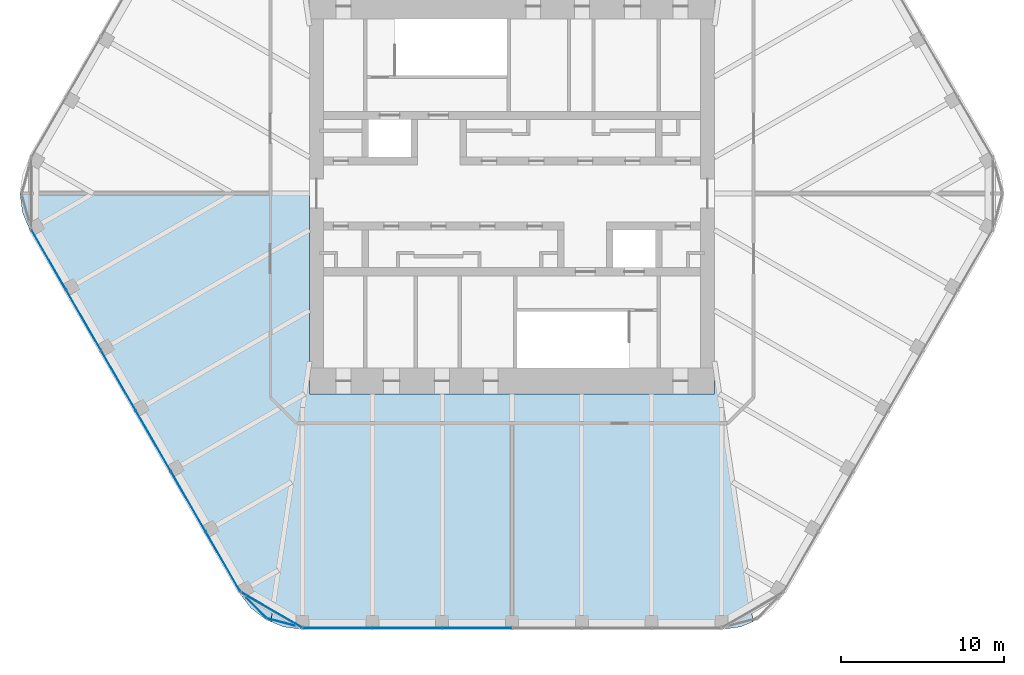
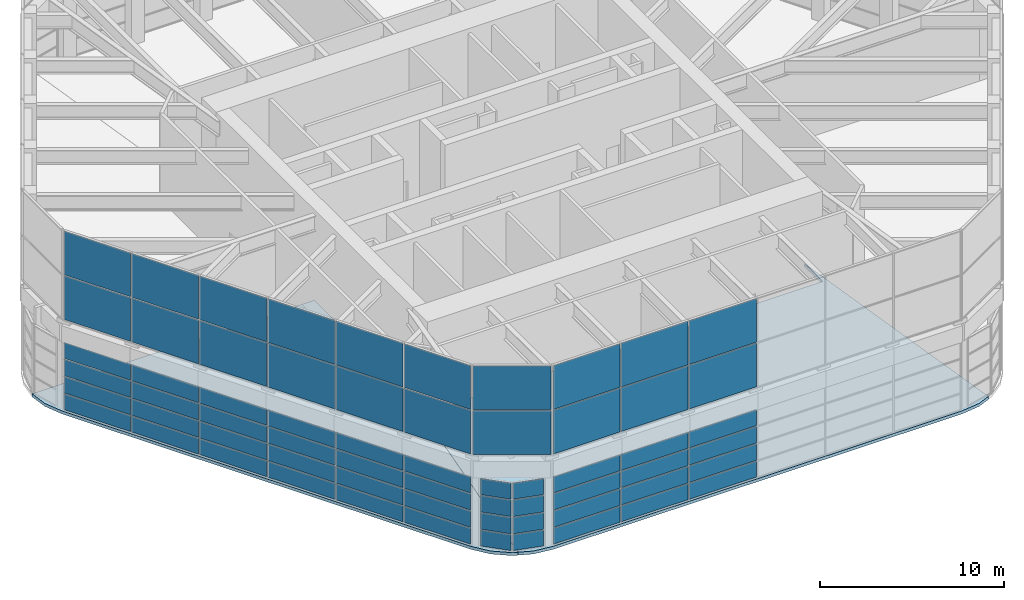
# One storey, part 10 of 17: 64 plates, 2 slabs, 7 elements without a shape of their own.
"""IFC4 building model written with IfcOpenShell, lengths in metres."""

from ifc_helpers import new_model, si_unit, direction, frame, origin, origin_2d, place, context, subcontext, project, spatial, polyline, rectangle, outline, extrude, material, layer, layer_set, type_object, element, aggregate, save


model = new_model("IFC4")

# Units and contexts
model_context = context("Model", 3, precision=1e-05, world=origin(), true_north=direction((0.0, 1.0)))
body_context = subcontext(model_context, "Body", "Model", "MODEL_VIEW")
ifc_project = project(units=[si_unit("LENGTHUNIT", "METRE"), si_unit("AREAUNIT", "SQUARE_METRE"), si_unit("VOLUMEUNIT", "CUBIC_METRE"), si_unit("PLANEANGLEUNIT", "RADIAN"), si_unit("MASSUNIT", "GRAM", prefix="KILO")], contexts=[model_context])

# Site, building, storey
site_placement = place(None, origin())
site = spatial("IfcSite", under=ifc_project, at=site_placement, CompositionType="ELEMENT")
building_placement = place(site_placement, origin())
building = spatial("IfcBuilding", under=site, at=building_placement, Name="Tarfa Lantern Tower", CompositionType="ELEMENT")
storey_placement = place(building_placement, frame((0.0, 0.0, 402.300048828125)))
storey = spatial("IfcBuildingStorey", under=building, at=storey_placement, Name="L91", CompositionType="ELEMENT", Elevation=402.300048828125)

# Curtain wall, plates
ifc_material_1 = material(Name="Aluminium framed curtain wall", Category="aluminium")
curtain_wall_type_1 = type_object("IfcCurtainWallType", Name="CW8 LANTERN GLAZING 4600", PredefinedType="USERDEFINED", material=ifc_material_1)
curtain_wall_1_placement = place(storey_placement, origin())
curtain_wall_1 = element("IfcCurtainWall", 1, at=curtain_wall_1_placement, inside=storey, type_object=curtain_wall_type_1, Name="CW8 SWS1 L91", ObjectType="CURTAIN WALL", PredefinedType="USERDEFINED")
ifc_material_2 = material(Name="Laminated double glazing", Category="glass")
ifc_layer_1 = layer(ifc_material_2, 0.028076171875)
ifc_layer_set_1 = layer_set([ifc_layer_1], Name="CWP1 DOUBLE GLAZED PANEL")
plate_type = type_object("IfcPlateType", Name="CWP1 DOUBLE GLAZED PANEL", PredefinedType="CURTAIN_PANEL", material=ifc_layer_set_1)
plate_1_placement = place(storey_placement, frame((-15.6953125, -25.4111328125, 0.06494140625), z_axis=(0.0, 0.0, 1.0), x_axis=(0.707106781187, -0.707106781187, 0.0)))
plate_1 = element("IfcPlate", 2, at=plate_1_placement, type_object=plate_type, Name="CW8 panel 1.1", PredefinedType="CURTAIN_PANEL", context=body_context, shape_type="SweptSolid", body=[
    extrude(rectangle(XDim=1.706787109375, YDim=0.028076171875, at=origin_2d()), origin(), (0.0, 0.0, 1.0), 1.052490234375),
])
plate_2_placement = place(storey_placement, frame((-15.6953125, -25.4111328125, 1.182373046875), z_axis=(0.0, 0.0, 1.0), x_axis=(0.707106781187, -0.707106781187, 0.0)))
plate_2 = element("IfcPlate", 3, at=plate_2_placement, type_object=plate_type, Name="CW8 panel 1.2", PredefinedType="CURTAIN_PANEL", context=body_context, shape_type="SweptSolid", body=[
    extrude(rectangle(XDim=1.706787109375, YDim=0.028076171875, at=origin_2d()), origin(), (0.0, 0.0, 1.0), 1.0849609375),
])
plate_3_placement = place(storey_placement, frame((-15.6953125, -25.4111328125, 2.33251953125), z_axis=(0.0, 0.0, 1.0), x_axis=(0.707106781187, -0.707106781187, 0.0)))
plate_3 = element("IfcPlate", 4, at=plate_3_placement, type_object=plate_type, Name="CW8 panel 1.3", PredefinedType="CURTAIN_PANEL", context=body_context, shape_type="SweptSolid", body=[
    extrude(rectangle(XDim=1.706787109375, YDim=0.028076171875, at=origin_2d()), origin(), (0.0, 0.0, 1.0), 1.0849609375),
])
plate_4_placement = place(storey_placement, frame((-15.6953125, -25.4111328125, 3.482421875), z_axis=(0.0, 0.0, 1.0), x_axis=(0.707106781187, -0.707106781187, 0.0)))
plate_4 = element("IfcPlate", 5, at=plate_4_placement, type_object=plate_type, Name="CW8 panel 1.4", PredefinedType="CURTAIN_PANEL", context=body_context, shape_type="SweptSolid", body=[
    extrude(rectangle(XDim=1.706787109375, YDim=0.028076171875, at=origin_2d()), origin(), (0.0, 0.0, 1.0), 1.052490234375),
])
aggregate(curtain_wall_1, [plate_1, plate_2, plate_3, plate_4])

curtain_wall_2_placement = place(storey_placement, origin())
curtain_wall_2 = element("IfcCurtainWall", 6, at=curtain_wall_2_placement, inside=storey, type_object=curtain_wall_type_1, Name="CW8 SWS2 L91", ObjectType="CURTAIN WALL", PredefinedType="USERDEFINED")
plate_5_placement = place(storey_placement, frame((-14.158935546875, -26.298095703125, 0.06494140625), z_axis=(0.0, 0.0, 1.0), x_axis=(0.965925850804, -0.258818953611, 0.0)))
plate_5 = element("IfcPlate", 7, at=plate_5_placement, type_object=plate_type, Name="CW8 panel 1.1", PredefinedType="CURTAIN_PANEL", context=body_context, shape_type="SweptSolid", body=[
    extrude(rectangle(XDim=1.706787109375, YDim=0.028076171875, at=origin_2d()), origin(), (0.0, 0.0, 1.0), 1.052490234375),
])
plate_6_placement = place(storey_placement, frame((-14.158935546875, -26.298095703125, 1.182373046875), z_axis=(0.0, 0.0, 1.0), x_axis=(0.965925850804, -0.258818953611, 0.0)))
plate_6 = element("IfcPlate", 8, at=plate_6_placement, type_object=plate_type, Name="CW8 panel 1.2", PredefinedType="CURTAIN_PANEL", context=body_context, shape_type="SweptSolid", body=[
    extrude(rectangle(XDim=1.706787109375, YDim=0.028076171875, at=origin_2d()), origin(), (0.0, 0.0, 1.0), 1.0849609375),
])
plate_7_placement = place(storey_placement, frame((-14.158935546875, -26.298095703125, 2.33251953125), z_axis=(0.0, 0.0, 1.0), x_axis=(0.965925850804, -0.258818953611, 0.0)))
plate_7 = element("IfcPlate", 9, at=plate_7_placement, type_object=plate_type, Name="CW8 panel 1.3", PredefinedType="CURTAIN_PANEL", context=body_context, shape_type="SweptSolid", body=[
    extrude(rectangle(XDim=1.706787109375, YDim=0.028076171875, at=origin_2d()), origin(), (0.0, 0.0, 1.0), 1.0849609375),
])
plate_8_placement = place(storey_placement, frame((-14.158935546875, -26.298095703125, 3.482421875), z_axis=(0.0, 0.0, 1.0), x_axis=(0.965925850804, -0.258818953611, 0.0)))
plate_8 = element("IfcPlate", 10, at=plate_8_placement, type_object=plate_type, Name="CW8 panel 1.4", PredefinedType="CURTAIN_PANEL", context=body_context, shape_type="SweptSolid", body=[
    extrude(rectangle(XDim=1.706787109375, YDim=0.028076171875, at=origin_2d()), origin(), (0.0, 0.0, 1.0), 1.052490234375),
])
aggregate(curtain_wall_2, [plate_5, plate_6, plate_7, plate_8])

curtain_wall_3_placement = place(storey_placement, origin())
curtain_wall_3 = element("IfcCurtainWall", 11, at=curtain_wall_3_placement, inside=storey, type_object=curtain_wall_type_1, Name="CW8 SW L91", ObjectType="CURTAIN WALL", PredefinedType="USERDEFINED")
plate_9_placement = place(storey_placement, frame((-28.424072265625, -4.068359375, 0.06494140625), z_axis=(0.0, 0.0, 1.0), x_axis=(0.5, -0.866025403784, 0.0)))
plate_9 = element("IfcPlate", 12, at=plate_9_placement, type_object=plate_type, Name="CW8 panel 1.1", PredefinedType="CURTAIN_PANEL", context=body_context, shape_type="SweptSolid", body=[
    extrude(rectangle(XDim=4.1845703125, YDim=0.028076171875, at=origin_2d()), origin(), (0.0, 0.0, 1.0), 1.052490234375),
])
plate_10_placement = place(storey_placement, frame((-28.424072265625, -4.068359375, 1.182373046875), z_axis=(0.0, 0.0, 1.0), x_axis=(0.5, -0.866025403784, 0.0)))
plate_10 = element("IfcPlate", 13, at=plate_10_placement, type_object=plate_type, Name="CW8 panel 1.2", PredefinedType="CURTAIN_PANEL", context=body_context, shape_type="SweptSolid", body=[
    extrude(rectangle(XDim=4.1845703125, YDim=0.028076171875, at=origin_2d()), origin(), (0.0, 0.0, 1.0), 1.0849609375),
])
plate_11_placement = place(storey_placement, frame((-28.424072265625, -4.068359375, 2.33251953125), z_axis=(0.0, 0.0, 1.0), x_axis=(0.5, -0.866025403784, 0.0)))
plate_11 = element("IfcPlate", 14, at=plate_11_placement, type_object=plate_type, Name="CW8 panel 1.3", PredefinedType="CURTAIN_PANEL", context=body_context, shape_type="SweptSolid", body=[
    extrude(rectangle(XDim=4.1845703125, YDim=0.028076171875, at=origin_2d()), origin(), (0.0, 0.0, 1.0), 1.0849609375),
])
plate_12_placement = place(storey_placement, frame((-28.424072265625, -4.068359375, 3.482421875), z_axis=(0.0, 0.0, 1.0), x_axis=(0.5, -0.866025403784, 0.0)))
plate_12 = element("IfcPlate", 15, at=plate_12_placement, type_object=plate_type, Name="CW8 panel 1.4", PredefinedType="CURTAIN_PANEL", context=body_context, shape_type="SweptSolid", body=[
    extrude(rectangle(XDim=4.1845703125, YDim=0.028076171875, at=origin_2d()), origin(), (0.0, 0.0, 1.0), 1.052490234375),
])
plate_13_placement = place(storey_placement, frame((-26.291015625, -7.762451171875, 0.06494140625), z_axis=(0.0, 0.0, 1.0), x_axis=(0.5, -0.866025403784, 0.0)))
plate_13 = element("IfcPlate", 16, at=plate_13_placement, type_object=plate_type, Name="CW8 panel 2.1", PredefinedType="CURTAIN_PANEL", context=body_context, shape_type="SweptSolid", body=[
    extrude(rectangle(XDim=4.217041015625, YDim=0.028076171875, at=origin_2d()), origin(), (0.0, 0.0, 1.0), 1.052490234375),
])
plate_14_placement = place(storey_placement, frame((-26.291015625, -7.762451171875, 1.182373046875), z_axis=(0.0, 0.0, 1.0), x_axis=(0.5, -0.866025403784, 0.0)))
plate_14 = element("IfcPlate", 17, at=plate_14_placement, type_object=plate_type, Name="CW8 panel 2.2", PredefinedType="CURTAIN_PANEL", context=body_context, shape_type="SweptSolid", body=[
    extrude(rectangle(XDim=4.217041015625, YDim=0.028076171875, at=origin_2d()), origin(), (0.0, 0.0, 1.0), 1.0849609375),
])
plate_15_placement = place(storey_placement, frame((-26.291015625, -7.762451171875, 2.33251953125), z_axis=(0.0, 0.0, 1.0), x_axis=(0.5, -0.866025403784, 0.0)))
plate_15 = element("IfcPlate", 18, at=plate_15_placement, type_object=plate_type, Name="CW8 panel 2.3", PredefinedType="CURTAIN_PANEL", context=body_context, shape_type="SweptSolid", body=[
    extrude(rectangle(XDim=4.217041015625, YDim=0.028076171875, at=origin_2d()), origin(), (0.0, 0.0, 1.0), 1.0849609375),
])
plate_16_placement = place(storey_placement, frame((-26.291015625, -7.762451171875, 3.482421875), z_axis=(0.0, 0.0, 1.0), x_axis=(0.5, -0.866025403784, 0.0)))
plate_16 = element("IfcPlate", 19, at=plate_16_placement, type_object=plate_type, Name="CW8 panel 2.4", PredefinedType="CURTAIN_PANEL", context=body_context, shape_type="SweptSolid", body=[
    extrude(rectangle(XDim=4.217041015625, YDim=0.028076171875, at=origin_2d()), origin(), (0.0, 0.0, 1.0), 1.052490234375),
])
plate_17_placement = place(storey_placement, frame((-24.150146484375, -11.470947265625, 0.06494140625), z_axis=(0.0, 0.0, 1.0), x_axis=(0.5, -0.866025403784, 0.0)))
plate_17 = element("IfcPlate", 20, at=plate_17_placement, type_object=plate_type, Name="CW8 panel 3.1", PredefinedType="CURTAIN_PANEL", context=body_context, shape_type="SweptSolid", body=[
    extrude(rectangle(XDim=4.217041015625, YDim=0.028076171875, at=origin_2d()), origin(), (0.0, 0.0, 1.0), 1.052490234375),
])
plate_18_placement = place(storey_placement, frame((-24.150146484375, -11.470947265625, 1.182373046875), z_axis=(0.0, 0.0, 1.0), x_axis=(0.5, -0.866025403784, 0.0)))
plate_18 = element("IfcPlate", 21, at=plate_18_placement, type_object=plate_type, Name="CW8 panel 3.2", PredefinedType="CURTAIN_PANEL", context=body_context, shape_type="SweptSolid", body=[
    extrude(rectangle(XDim=4.217041015625, YDim=0.028076171875, at=origin_2d()), origin(), (0.0, 0.0, 1.0), 1.0849609375),
])
plate_19_placement = place(storey_placement, frame((-24.150146484375, -11.470947265625, 2.33251953125), z_axis=(0.0, 0.0, 1.0), x_axis=(0.5, -0.866025403784, 0.0)))
plate_19 = element("IfcPlate", 22, at=plate_19_placement, type_object=plate_type, Name="CW8 panel 3.3", PredefinedType="CURTAIN_PANEL", context=body_context, shape_type="SweptSolid", body=[
    extrude(rectangle(XDim=4.217041015625, YDim=0.028076171875, at=origin_2d()), origin(), (0.0, 0.0, 1.0), 1.0849609375),
])
plate_20_placement = place(storey_placement, frame((-24.150146484375, -11.470947265625, 3.482421875), z_axis=(0.0, 0.0, 1.0), x_axis=(0.5, -0.866025403784, 0.0)))
plate_20 = element("IfcPlate", 23, at=plate_20_placement, type_object=plate_type, Name="CW8 panel 3.4", PredefinedType="CURTAIN_PANEL", context=body_context, shape_type="SweptSolid", body=[
    extrude(rectangle(XDim=4.217041015625, YDim=0.028076171875, at=origin_2d()), origin(), (0.0, 0.0, 1.0), 1.052490234375),
])
plate_21_placement = place(storey_placement, frame((-22.009033203125, -15.17919921875, 0.06494140625), z_axis=(0.0, 0.0, 1.0), x_axis=(0.5, -0.866025403784, 0.0)))
plate_21 = element("IfcPlate", 24, at=plate_21_placement, type_object=plate_type, Name="CW8 panel 4.1", PredefinedType="CURTAIN_PANEL", context=body_context, shape_type="SweptSolid", body=[
    extrude(rectangle(XDim=4.217041015625, YDim=0.028076171875, at=origin_2d()), origin(), (0.0, 0.0, 1.0), 1.052490234375),
])
plate_22_placement = place(storey_placement, frame((-22.009033203125, -15.17919921875, 1.182373046875), z_axis=(0.0, 0.0, 1.0), x_axis=(0.5, -0.866025403784, 0.0)))
plate_22 = element("IfcPlate", 25, at=plate_22_placement, type_object=plate_type, Name="CW8 panel 4.2", PredefinedType="CURTAIN_PANEL", context=body_context, shape_type="SweptSolid", body=[
    extrude(rectangle(XDim=4.217041015625, YDim=0.028076171875, at=origin_2d()), origin(), (0.0, 0.0, 1.0), 1.0849609375),
])
plate_23_placement = place(storey_placement, frame((-22.009033203125, -15.17919921875, 2.33251953125), z_axis=(0.0, 0.0, 1.0), x_axis=(0.5, -0.866025403784, 0.0)))
plate_23 = element("IfcPlate", 26, at=plate_23_placement, type_object=plate_type, Name="CW8 panel 4.3", PredefinedType="CURTAIN_PANEL", context=body_context, shape_type="SweptSolid", body=[
    extrude(rectangle(XDim=4.217041015625, YDim=0.028076171875, at=origin_2d()), origin(), (0.0, 0.0, 1.0), 1.0849609375),
])
plate_24_placement = place(storey_placement, frame((-22.009033203125, -15.17919921875, 3.482421875), z_axis=(0.0, 0.0, 1.0), x_axis=(0.5, -0.866025403784, 0.0)))
plate_24 = element("IfcPlate", 27, at=plate_24_placement, type_object=plate_type, Name="CW8 panel 4.4", PredefinedType="CURTAIN_PANEL", context=body_context, shape_type="SweptSolid", body=[
    extrude(rectangle(XDim=4.217041015625, YDim=0.028076171875, at=origin_2d()), origin(), (0.0, 0.0, 1.0), 1.052490234375),
])
plate_25_placement = place(storey_placement, frame((-19.8681640625, -18.887451171875, 0.06494140625), z_axis=(0.0, 0.0, 1.0), x_axis=(0.5, -0.866025403784, 0.0)))
plate_25 = element("IfcPlate", 28, at=plate_25_placement, type_object=plate_type, Name="CW8 panel 5.1", PredefinedType="CURTAIN_PANEL", context=body_context, shape_type="SweptSolid", body=[
    extrude(rectangle(XDim=4.217041015625, YDim=0.028076171875, at=origin_2d()), origin(), (0.0, 0.0, 1.0), 1.052490234375),
])
plate_26_placement = place(storey_placement, frame((-19.8681640625, -18.887451171875, 1.182373046875), z_axis=(0.0, 0.0, 1.0), x_axis=(0.5, -0.866025403784, 0.0)))
plate_26 = element("IfcPlate", 29, at=plate_26_placement, type_object=plate_type, Name="CW8 panel 5.2", PredefinedType="CURTAIN_PANEL", context=body_context, shape_type="SweptSolid", body=[
    extrude(rectangle(XDim=4.217041015625, YDim=0.028076171875, at=origin_2d()), origin(), (0.0, 0.0, 1.0), 1.0849609375),
])
plate_27_placement = place(storey_placement, frame((-19.8681640625, -18.887451171875, 2.33251953125), z_axis=(0.0, 0.0, 1.0), x_axis=(0.5, -0.866025403784, 0.0)))
plate_27 = element("IfcPlate", 30, at=plate_27_placement, type_object=plate_type, Name="CW8 panel 5.3", PredefinedType="CURTAIN_PANEL", context=body_context, shape_type="SweptSolid", body=[
    extrude(rectangle(XDim=4.217041015625, YDim=0.028076171875, at=origin_2d()), origin(), (0.0, 0.0, 1.0), 1.0849609375),
])
plate_28_placement = place(storey_placement, frame((-19.8681640625, -18.887451171875, 3.482421875), z_axis=(0.0, 0.0, 1.0), x_axis=(0.5, -0.866025403784, 0.0)))
plate_28 = element("IfcPlate", 31, at=plate_28_placement, type_object=plate_type, Name="CW8 panel 5.4", PredefinedType="CURTAIN_PANEL", context=body_context, shape_type="SweptSolid", body=[
    extrude(rectangle(XDim=4.217041015625, YDim=0.028076171875, at=origin_2d()), origin(), (0.0, 0.0, 1.0), 1.052490234375),
])
plate_29_placement = place(storey_placement, frame((-17.735107421875, -22.581787109375, 0.06494140625), z_axis=(0.0, 0.0, 1.0), x_axis=(0.5, -0.866025403784, 0.0)))
plate_29 = element("IfcPlate", 32, at=plate_29_placement, type_object=plate_type, Name="CW8 panel 6.1", PredefinedType="CURTAIN_PANEL", context=body_context, shape_type="SweptSolid", body=[
    extrude(rectangle(XDim=4.1845703125, YDim=0.028076171875, at=origin_2d()), origin(), (0.0, 0.0, 1.0), 1.052490234375),
])
plate_30_placement = place(storey_placement, frame((-17.735107421875, -22.581787109375, 1.182373046875), z_axis=(0.0, 0.0, 1.0), x_axis=(0.5, -0.866025403784, 0.0)))
plate_30 = element("IfcPlate", 33, at=plate_30_placement, type_object=plate_type, Name="CW8 panel 6.2", PredefinedType="CURTAIN_PANEL", context=body_context, shape_type="SweptSolid", body=[
    extrude(rectangle(XDim=4.1845703125, YDim=0.028076171875, at=origin_2d()), origin(), (0.0, 0.0, 1.0), 1.0849609375),
])
plate_31_placement = place(storey_placement, frame((-17.735107421875, -22.581787109375, 2.33251953125), z_axis=(0.0, 0.0, 1.0), x_axis=(0.5, -0.866025403784, 0.0)))
plate_31 = element("IfcPlate", 34, at=plate_31_placement, type_object=plate_type, Name="CW8 panel 6.3", PredefinedType="CURTAIN_PANEL", context=body_context, shape_type="SweptSolid", body=[
    extrude(rectangle(XDim=4.1845703125, YDim=0.028076171875, at=origin_2d()), origin(), (0.0, 0.0, 1.0), 1.0849609375),
])
plate_32_placement = place(storey_placement, frame((-17.735107421875, -22.581787109375, 3.482421875), z_axis=(0.0, 0.0, 1.0), x_axis=(0.5, -0.866025403784, 0.0)))
plate_32 = element("IfcPlate", 35, at=plate_32_placement, type_object=plate_type, Name="CW8 panel 6.4", PredefinedType="CURTAIN_PANEL", context=body_context, shape_type="SweptSolid", body=[
    extrude(rectangle(XDim=4.1845703125, YDim=0.028076171875, at=origin_2d()), origin(), (0.0, 0.0, 1.0), 1.052490234375),
])
aggregate(curtain_wall_3, [plate_9, plate_10, plate_11, plate_12, plate_13, plate_14, plate_15, plate_16, plate_17, plate_18, plate_19, plate_20, plate_21, plate_22, plate_23, plate_24, plate_25, plate_26, plate_27, plate_28, plate_29, plate_30, plate_31, plate_32])

curtain_wall_4_placement = place(storey_placement, origin())
curtain_wall_4 = element("IfcCurtainWall", 36, at=curtain_wall_4_placement, inside=storey, type_object=curtain_wall_type_1, Name="CW8 S L91", ObjectType="CURTAIN WALL", PredefinedType="USERDEFINED")
plate_33_placement = place(storey_placement, frame((-10.688720703125, -26.64990234375, 0.06494140625), z_axis=(0.0, 0.0, 1.0), x_axis=(1.0, 0.0, 0.0)))
plate_33 = element("IfcPlate", 37, at=plate_33_placement, type_object=plate_type, Name="CW8 panel 1.1", PredefinedType="CURTAIN_PANEL", context=body_context, shape_type="SweptSolid", body=[
    extrude(rectangle(XDim=4.1845703125, YDim=0.028076171875, at=origin_2d()), origin(), (0.0, 0.0, 1.0), 1.052490234375),
])
plate_34_placement = place(storey_placement, frame((-10.688720703125, -26.64990234375, 1.182373046875), z_axis=(0.0, 0.0, 1.0), x_axis=(1.0, 0.0, 0.0)))
plate_34 = element("IfcPlate", 38, at=plate_34_placement, type_object=plate_type, Name="CW8 panel 1.2", PredefinedType="CURTAIN_PANEL", context=body_context, shape_type="SweptSolid", body=[
    extrude(rectangle(XDim=4.1845703125, YDim=0.028076171875, at=origin_2d()), origin(), (0.0, 0.0, 1.0), 1.0849609375),
])
plate_35_placement = place(storey_placement, frame((-10.688720703125, -26.64990234375, 2.33251953125), z_axis=(0.0, 0.0, 1.0), x_axis=(1.0, 0.0, 0.0)))
plate_35 = element("IfcPlate", 39, at=plate_35_placement, type_object=plate_type, Name="CW8 panel 1.3", PredefinedType="CURTAIN_PANEL", context=body_context, shape_type="SweptSolid", body=[
    extrude(rectangle(XDim=4.1845703125, YDim=0.028076171875, at=origin_2d()), origin(), (0.0, 0.0, 1.0), 1.0849609375),
])
plate_36_placement = place(storey_placement, frame((-10.688720703125, -26.64990234375, 3.482421875), z_axis=(0.0, 0.0, 1.0), x_axis=(1.0, 0.0, 0.0)))
plate_36 = element("IfcPlate", 40, at=plate_36_placement, type_object=plate_type, Name="CW8 panel 1.4", PredefinedType="CURTAIN_PANEL", context=body_context, shape_type="SweptSolid", body=[
    extrude(rectangle(XDim=4.1845703125, YDim=0.028076171875, at=origin_2d()), origin(), (0.0, 0.0, 1.0), 1.052490234375),
])
plate_37_placement = place(storey_placement, frame((-6.423095703125, -26.64990234375, 0.06494140625), z_axis=(0.0, 0.0, 1.0), x_axis=(1.0, 0.0, 0.0)))
plate_37 = element("IfcPlate", 41, at=plate_37_placement, type_object=plate_type, Name="CW8 panel 2.1", PredefinedType="CURTAIN_PANEL", context=body_context, shape_type="SweptSolid", body=[
    extrude(rectangle(XDim=4.217041015625, YDim=0.028076171875, at=origin_2d()), origin(), (0.0, 0.0, 1.0), 1.052490234375),
])
plate_38_placement = place(storey_placement, frame((-6.423095703125, -26.64990234375, 1.182373046875), z_axis=(0.0, 0.0, 1.0), x_axis=(1.0, 0.0, 0.0)))
plate_38 = element("IfcPlate", 42, at=plate_38_placement, type_object=plate_type, Name="CW8 panel 2.2", PredefinedType="CURTAIN_PANEL", context=body_context, shape_type="SweptSolid", body=[
    extrude(rectangle(XDim=4.217041015625, YDim=0.028076171875, at=origin_2d()), origin(), (0.0, 0.0, 1.0), 1.0849609375),
])
plate_39_placement = place(storey_placement, frame((-6.423095703125, -26.64990234375, 2.33251953125), z_axis=(0.0, 0.0, 1.0), x_axis=(1.0, 0.0, 0.0)))
plate_39 = element("IfcPlate", 43, at=plate_39_placement, type_object=plate_type, Name="CW8 panel 2.3", PredefinedType="CURTAIN_PANEL", context=body_context, shape_type="SweptSolid", body=[
    extrude(rectangle(XDim=4.217041015625, YDim=0.028076171875, at=origin_2d()), origin(), (0.0, 0.0, 1.0), 1.0849609375),
])
plate_40_placement = place(storey_placement, frame((-6.423095703125, -26.64990234375, 3.482421875), z_axis=(0.0, 0.0, 1.0), x_axis=(1.0, 0.0, 0.0)))
plate_40 = element("IfcPlate", 44, at=plate_40_placement, type_object=plate_type, Name="CW8 panel 2.4", PredefinedType="CURTAIN_PANEL", context=body_context, shape_type="SweptSolid", body=[
    extrude(rectangle(XDim=4.217041015625, YDim=0.028076171875, at=origin_2d()), origin(), (0.0, 0.0, 1.0), 1.052490234375),
])
plate_41_placement = place(storey_placement, frame((-2.14111328125, -26.64990234375, 0.06494140625), z_axis=(0.0, 0.0, 1.0), x_axis=(1.0, 0.0, 0.0)))
plate_41 = element("IfcPlate", 45, at=plate_41_placement, type_object=plate_type, Name="CW8 panel 3.1", PredefinedType="CURTAIN_PANEL", context=body_context, shape_type="SweptSolid", body=[
    extrude(rectangle(XDim=4.217041015625, YDim=0.028076171875, at=origin_2d()), origin(), (0.0, 0.0, 1.0), 1.052490234375),
])
plate_42_placement = place(storey_placement, frame((-2.14111328125, -26.64990234375, 1.182373046875), z_axis=(0.0, 0.0, 1.0), x_axis=(1.0, 0.0, 0.0)))
plate_42 = element("IfcPlate", 46, at=plate_42_placement, type_object=plate_type, Name="CW8 panel 3.2", PredefinedType="CURTAIN_PANEL", context=body_context, shape_type="SweptSolid", body=[
    extrude(rectangle(XDim=4.217041015625, YDim=0.028076171875, at=origin_2d()), origin(), (0.0, 0.0, 1.0), 1.0849609375),
])
plate_43_placement = place(storey_placement, frame((-2.14111328125, -26.64990234375, 2.33251953125), z_axis=(0.0, 0.0, 1.0), x_axis=(1.0, 0.0, 0.0)))
plate_43 = element("IfcPlate", 47, at=plate_43_placement, type_object=plate_type, Name="CW8 panel 3.3", PredefinedType="CURTAIN_PANEL", context=body_context, shape_type="SweptSolid", body=[
    extrude(rectangle(XDim=4.217041015625, YDim=0.028076171875, at=origin_2d()), origin(), (0.0, 0.0, 1.0), 1.0849609375),
])
plate_44_placement = place(storey_placement, frame((-2.14111328125, -26.64990234375, 3.482421875), z_axis=(0.0, 0.0, 1.0), x_axis=(1.0, 0.0, 0.0)))
plate_44 = element("IfcPlate", 48, at=plate_44_placement, type_object=plate_type, Name="CW8 panel 3.4", PredefinedType="CURTAIN_PANEL", context=body_context, shape_type="SweptSolid", body=[
    extrude(rectangle(XDim=4.217041015625, YDim=0.028076171875, at=origin_2d()), origin(), (0.0, 0.0, 1.0), 1.052490234375),
])
aggregate(curtain_wall_4, [plate_33, plate_34, plate_35, plate_36, plate_37, plate_38, plate_39, plate_40, plate_41, plate_42, plate_43, plate_44])

curtain_wall_type_2 = type_object("IfcCurtainWallType", Name="CW9 CROWN SCREEN GLAZING 6000", PredefinedType="USERDEFINED", material=ifc_material_1)
curtain_wall_5_placement = place(storey_placement, origin())
curtain_wall_5 = element("IfcCurtainWall", 49, at=curtain_wall_5_placement, inside=storey, type_object=curtain_wall_type_2, Name="CW9 SW L91", ObjectType="CURTAIN WALL", PredefinedType="USERDEFINED")
plate_45_placement = place(storey_placement, frame((-28.424072265625, -4.068359375, 6.06494140625), z_axis=(0.0, 0.0, 1.0), x_axis=(0.5, -0.866025403784, 0.0)))
plate_45 = element("IfcPlate", 50, at=plate_45_placement, type_object=plate_type, Name="CW9 panel 1.1", PredefinedType="CURTAIN_PANEL", context=body_context, shape_type="SweptSolid", body=[
    extrude(rectangle(XDim=4.1845703125, YDim=0.028076171875, at=origin_2d()), origin(), (0.0, 0.0, 1.0), 2.902587890625),
])
plate_46_placement = place(storey_placement, frame((-28.424072265625, -4.068359375, 9.0322265625), z_axis=(0.0, 0.0, 1.0), x_axis=(0.5, -0.866025403784, 0.0)))
plate_46 = element("IfcPlate", 51, at=plate_46_placement, type_object=plate_type, Name="CW9 panel 1.2", PredefinedType="CURTAIN_PANEL", context=body_context, shape_type="SweptSolid", body=[
    extrude(rectangle(XDim=4.1845703125, YDim=0.028076171875, at=origin_2d()), origin(), (0.0, 0.0, 1.0), 2.902587890625),
])
plate_47_placement = place(storey_placement, frame((-26.291015625, -7.762451171875, 6.06494140625), z_axis=(0.0, 0.0, 1.0), x_axis=(0.5, -0.866025403784, 0.0)))
plate_47 = element("IfcPlate", 52, at=plate_47_placement, type_object=plate_type, Name="CW9 panel 2.1", PredefinedType="CURTAIN_PANEL", context=body_context, shape_type="SweptSolid", body=[
    extrude(rectangle(XDim=4.217041015625, YDim=0.028076171875, at=origin_2d()), origin(), (0.0, 0.0, 1.0), 2.902587890625),
])
plate_48_placement = place(storey_placement, frame((-26.291015625, -7.762451171875, 9.0322265625), z_axis=(0.0, 0.0, 1.0), x_axis=(0.5, -0.866025403784, 0.0)))
plate_48 = element("IfcPlate", 53, at=plate_48_placement, type_object=plate_type, Name="CW9 panel 2.2", PredefinedType="CURTAIN_PANEL", context=body_context, shape_type="SweptSolid", body=[
    extrude(rectangle(XDim=4.217041015625, YDim=0.028076171875, at=origin_2d()), origin(), (0.0, 0.0, 1.0), 2.902587890625),
])
plate_49_placement = place(storey_placement, frame((-24.150146484375, -11.470947265625, 6.06494140625), z_axis=(0.0, 0.0, 1.0), x_axis=(0.5, -0.866025403784, 0.0)))
plate_49 = element("IfcPlate", 54, at=plate_49_placement, type_object=plate_type, Name="CW9 panel 3.1", PredefinedType="CURTAIN_PANEL", context=body_context, shape_type="SweptSolid", body=[
    extrude(rectangle(XDim=4.217041015625, YDim=0.028076171875, at=origin_2d()), origin(), (0.0, 0.0, 1.0), 2.902587890625),
])
plate_50_placement = place(storey_placement, frame((-24.150146484375, -11.470947265625, 9.0322265625), z_axis=(0.0, 0.0, 1.0), x_axis=(0.5, -0.866025403784, 0.0)))
plate_50 = element("IfcPlate", 55, at=plate_50_placement, type_object=plate_type, Name="CW9 panel 3.2", PredefinedType="CURTAIN_PANEL", context=body_context, shape_type="SweptSolid", body=[
    extrude(rectangle(XDim=4.217041015625, YDim=0.028076171875, at=origin_2d()), origin(), (0.0, 0.0, 1.0), 2.902587890625),
])
plate_51_placement = place(storey_placement, frame((-22.009033203125, -15.17919921875, 6.06494140625), z_axis=(0.0, 0.0, 1.0), x_axis=(0.5, -0.866025403784, 0.0)))
plate_51 = element("IfcPlate", 56, at=plate_51_placement, type_object=plate_type, Name="CW9 panel 4.1", PredefinedType="CURTAIN_PANEL", context=body_context, shape_type="SweptSolid", body=[
    extrude(rectangle(XDim=4.217041015625, YDim=0.028076171875, at=origin_2d()), origin(), (0.0, 0.0, 1.0), 2.902587890625),
])
plate_52_placement = place(storey_placement, frame((-22.009033203125, -15.17919921875, 9.0322265625), z_axis=(0.0, 0.0, 1.0), x_axis=(0.5, -0.866025403784, 0.0)))
plate_52 = element("IfcPlate", 57, at=plate_52_placement, type_object=plate_type, Name="CW9 panel 4.2", PredefinedType="CURTAIN_PANEL", context=body_context, shape_type="SweptSolid", body=[
    extrude(rectangle(XDim=4.217041015625, YDim=0.028076171875, at=origin_2d()), origin(), (0.0, 0.0, 1.0), 2.902587890625),
])
plate_53_placement = place(storey_placement, frame((-19.8681640625, -18.887451171875, 6.06494140625), z_axis=(0.0, 0.0, 1.0), x_axis=(0.5, -0.866025403784, 0.0)))
plate_53 = element("IfcPlate", 58, at=plate_53_placement, type_object=plate_type, Name="CW9 panel 5.1", PredefinedType="CURTAIN_PANEL", context=body_context, shape_type="SweptSolid", body=[
    extrude(rectangle(XDim=4.217041015625, YDim=0.028076171875, at=origin_2d()), origin(), (0.0, 0.0, 1.0), 2.902587890625),
])
plate_54_placement = place(storey_placement, frame((-19.8681640625, -18.887451171875, 9.0322265625), z_axis=(0.0, 0.0, 1.0), x_axis=(0.5, -0.866025403784, 0.0)))
plate_54 = element("IfcPlate", 59, at=plate_54_placement, type_object=plate_type, Name="CW9 panel 5.2", PredefinedType="CURTAIN_PANEL", context=body_context, shape_type="SweptSolid", body=[
    extrude(rectangle(XDim=4.217041015625, YDim=0.028076171875, at=origin_2d()), origin(), (0.0, 0.0, 1.0), 2.902587890625),
])
plate_55_placement = place(storey_placement, frame((-17.735107421875, -22.581787109375, 6.06494140625), z_axis=(0.0, 0.0, 1.0), x_axis=(0.5, -0.866025403784, 0.0)))
plate_55 = element("IfcPlate", 60, at=plate_55_placement, type_object=plate_type, Name="CW9 panel 6.1", PredefinedType="CURTAIN_PANEL", context=body_context, shape_type="SweptSolid", body=[
    extrude(rectangle(XDim=4.1845703125, YDim=0.028076171875, at=origin_2d()), origin(), (0.0, 0.0, 1.0), 2.902587890625),
])
plate_56_placement = place(storey_placement, frame((-17.735107421875, -22.581787109375, 9.0322265625), z_axis=(0.0, 0.0, 1.0), x_axis=(0.5, -0.866025403784, 0.0)))
plate_56 = element("IfcPlate", 61, at=plate_56_placement, type_object=plate_type, Name="CW9 panel 6.2", PredefinedType="CURTAIN_PANEL", context=body_context, shape_type="SweptSolid", body=[
    extrude(rectangle(XDim=4.1845703125, YDim=0.028076171875, at=origin_2d()), origin(), (0.0, 0.0, 1.0), 2.902587890625),
])
aggregate(curtain_wall_5, [plate_45, plate_46, plate_47, plate_48, plate_49, plate_50, plate_51, plate_52, plate_53, plate_54, plate_55, plate_56])

curtain_wall_6_placement = place(storey_placement, origin())
curtain_wall_6 = element("IfcCurtainWall", 62, at=curtain_wall_6_placement, inside=storey, type_object=curtain_wall_type_2, Name="CW9 S L91", ObjectType="CURTAIN WALL", PredefinedType="USERDEFINED")
plate_57_placement = place(storey_placement, frame((-10.688720703125, -26.64990234375, 6.06494140625), z_axis=(0.0, 0.0, 1.0), x_axis=(1.0, 0.0, 0.0)))
plate_57 = element("IfcPlate", 63, at=plate_57_placement, type_object=plate_type, Name="CW9 panel 1.1", PredefinedType="CURTAIN_PANEL", context=body_context, shape_type="SweptSolid", body=[
    extrude(rectangle(XDim=4.1845703125, YDim=0.028076171875, at=origin_2d()), origin(), (0.0, 0.0, 1.0), 2.902587890625),
])
plate_58_placement = place(storey_placement, frame((-10.688720703125, -26.64990234375, 9.0322265625), z_axis=(0.0, 0.0, 1.0), x_axis=(1.0, 0.0, 0.0)))
plate_58 = element("IfcPlate", 64, at=plate_58_placement, type_object=plate_type, Name="CW9 panel 1.2", PredefinedType="CURTAIN_PANEL", context=body_context, shape_type="SweptSolid", body=[
    extrude(rectangle(XDim=4.1845703125, YDim=0.028076171875, at=origin_2d()), origin(), (0.0, 0.0, 1.0), 2.902587890625),
])
plate_59_placement = place(storey_placement, frame((-6.423095703125, -26.64990234375, 6.06494140625), z_axis=(0.0, 0.0, 1.0), x_axis=(1.0, 0.0, 0.0)))
plate_59 = element("IfcPlate", 65, at=plate_59_placement, type_object=plate_type, Name="CW9 panel 2.1", PredefinedType="CURTAIN_PANEL", context=body_context, shape_type="SweptSolid", body=[
    extrude(rectangle(XDim=4.217041015625, YDim=0.028076171875, at=origin_2d()), origin(), (0.0, 0.0, 1.0), 2.902587890625),
])
plate_60_placement = place(storey_placement, frame((-6.423095703125, -26.64990234375, 9.0322265625), z_axis=(0.0, 0.0, 1.0), x_axis=(1.0, 0.0, 0.0)))
plate_60 = element("IfcPlate", 66, at=plate_60_placement, type_object=plate_type, Name="CW9 panel 2.2", PredefinedType="CURTAIN_PANEL", context=body_context, shape_type="SweptSolid", body=[
    extrude(rectangle(XDim=4.217041015625, YDim=0.028076171875, at=origin_2d()), origin(), (0.0, 0.0, 1.0), 2.902587890625),
])
plate_61_placement = place(storey_placement, frame((-2.14111328125, -26.64990234375, 6.06494140625), z_axis=(0.0, 0.0, 1.0), x_axis=(1.0, 0.0, 0.0)))
plate_61 = element("IfcPlate", 67, at=plate_61_placement, type_object=plate_type, Name="CW9 panel 3.1", PredefinedType="CURTAIN_PANEL", context=body_context, shape_type="SweptSolid", body=[
    extrude(rectangle(XDim=4.217041015625, YDim=0.028076171875, at=origin_2d()), origin(), (0.0, 0.0, 1.0), 2.902587890625),
])
plate_62_placement = place(storey_placement, frame((-2.14111328125, -26.64990234375, 9.0322265625), z_axis=(0.0, 0.0, 1.0), x_axis=(1.0, 0.0, 0.0)))
plate_62 = element("IfcPlate", 68, at=plate_62_placement, type_object=plate_type, Name="CW9 panel 3.2", PredefinedType="CURTAIN_PANEL", context=body_context, shape_type="SweptSolid", body=[
    extrude(rectangle(XDim=4.217041015625, YDim=0.028076171875, at=origin_2d()), origin(), (0.0, 0.0, 1.0), 2.902587890625),
])
aggregate(curtain_wall_6, [plate_57, plate_58, plate_59, plate_60, plate_61, plate_62])

curtain_wall_7_placement = place(storey_placement, origin())
curtain_wall_7 = element("IfcCurtainWall", 69, at=curtain_wall_7_placement, inside=storey, type_object=curtain_wall_type_2, Name="CW9 SWS L91", ObjectType="CURTAIN WALL", PredefinedType="USERDEFINED")
plate_63_placement = place(storey_placement, frame((-14.751220703125, -25.550048828125, 6.06494140625), z_axis=(0.0, 0.0, 1.0), x_axis=(0.866025403784, -0.5, 0.0)))
plate_63 = element("IfcPlate", 70, at=plate_63_placement, type_object=plate_type, Name="CW9 panel 1.1", PredefinedType="CURTAIN_PANEL", context=body_context, shape_type="SweptSolid", body=[
    extrude(rectangle(XDim=4.27001953125, YDim=0.028076171875, at=origin_2d()), origin(), (0.0, 0.0, 1.0), 2.902587890625),
])
plate_64_placement = place(storey_placement, frame((-14.751220703125, -25.550048828125, 9.0322265625), z_axis=(0.0, 0.0, 1.0), x_axis=(0.866025403784, -0.5, 0.0)))
plate_64 = element("IfcPlate", 71, at=plate_64_placement, type_object=plate_type, Name="CW9 panel 1.2", PredefinedType="CURTAIN_PANEL", context=body_context, shape_type="SweptSolid", body=[
    extrude(rectangle(XDim=4.27001953125, YDim=0.028076171875, at=origin_2d()), origin(), (0.0, 0.0, 1.0), 2.902587890625),
])
aggregate(curtain_wall_7, [plate_63, plate_64])

# Slabs
ifc_material_3 = material(Name="Concrete C40/50", Category="concrete")
ifc_layer_2 = layer(ifc_material_3, 0.199951171875)
ifc_layer_set_2 = layer_set([ifc_layer_2], Name="FS1 FLOOR SLAB 200")
slab_type = type_object("IfcSlabType", Name="FS1 FLOOR SLAB 200", PredefinedType="FLOOR", material=ifc_layer_set_2)
slab_1_placement = place(storey_placement, frame((0.0, 0.0, -0.199951171875)))
element("IfcSlab", 72, at=slab_1_placement, inside=storey, type_object=slab_type, Name="Floor slab L91 SW bay", PredefinedType="FLOOR", context=body_context, shape_type="SweptSolid", body=[
    extrude(outline(polyline([(-12.427001953125, -10.2998046875), (-12.427001953125, -0.001953125), (-30.189697265625, -0.001953125), (-30.036865234375, -1.1640625), (-29.58740234375, -2.2490234375), (-16.741455078125, -24.498779296875), (-16.026611328125, -25.4306640625), (-15.094970703125, -26.145263671875), (-14.802001953125, -26.2666015625), (-12.427001953125, -10.2998046875)])), origin(), (0.0, 0.0, 1.0), 0.199951171875),
])
slab_2_placement = place(storey_placement, frame((0.0, 0.0, -0.199951171875)))
element("IfcSlab", 73, at=slab_2_placement, inside=storey, type_object=slab_type, Name="Floor slab L91 S bay", PredefinedType="FLOOR", context=body_context, shape_type="SweptSolid", body=[
    extrude(outline(polyline([(12.427001953125, -10.3271484375), (12.427001953125, -12.302001953125), (-12.427001953125, -12.302001953125), (-12.427001953125, -10.3271484375), (-14.79833984375, -26.268310546875), (-14.01025390625, -26.5947265625), (-12.845947265625, -26.748046875), (12.845947265625, -26.748046875), (14.01025390625, -26.5947265625), (14.79833984375, -26.268310546875), (12.427001953125, -10.3271484375)])), origin(), (0.0, 0.0, 1.0), 0.199951171875),
])

save(model, "model.ifc")
